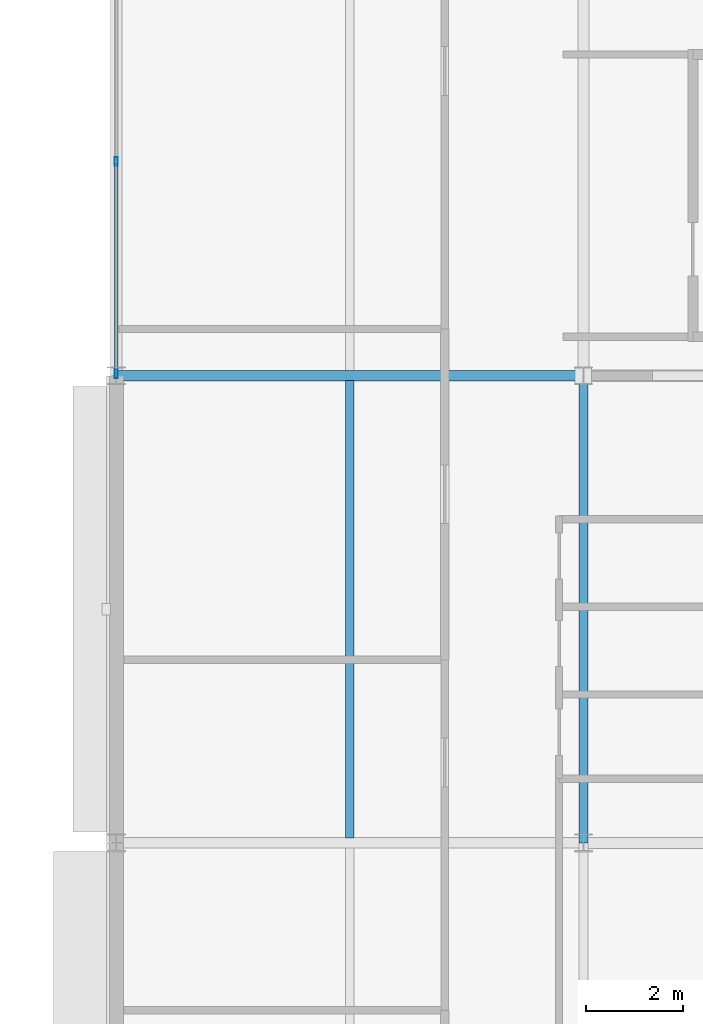
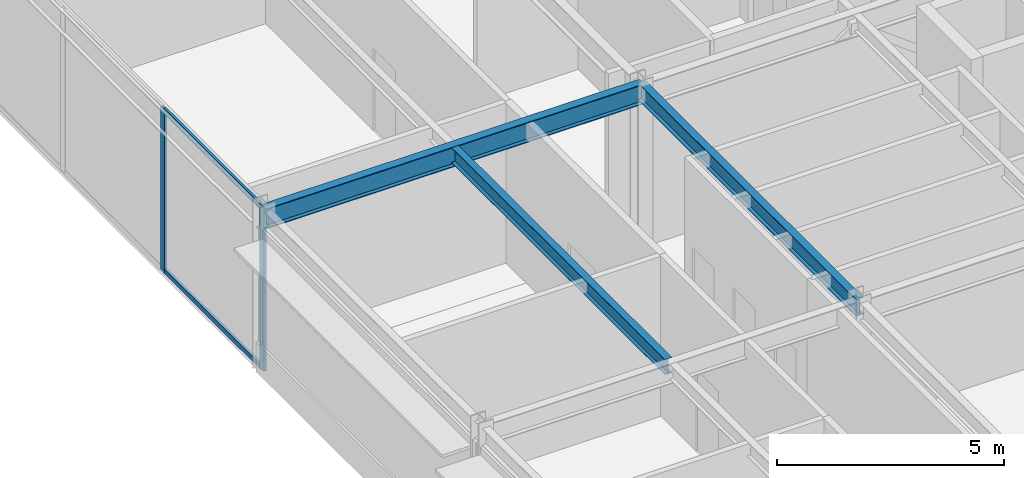
# One storey, part 21 of 50: 4 members, 3 beams, 1 element without a shape of its own.
"""IFC4 building model written with IfcOpenShell, lengths in metres."""

from ifc_helpers import new_model, si_unit, direction, frame, origin, origin_2d, place, context, subcontext, project, spatial, hollow_rectangle, i_section, extrude, material, material_profile, profile_set, type_object, element, aggregate, save


model = new_model("IFC4")

# Units and contexts
model_context = context("Model", 3, precision=1e-05, world=origin(), true_north=direction((0.0, 1.0)))
body_context = subcontext(model_context, "Body", "Model", "MODEL_VIEW")
ifc_project = project(units=[si_unit("LENGTHUNIT", "METRE"), si_unit("AREAUNIT", "SQUARE_METRE"), si_unit("VOLUMEUNIT", "CUBIC_METRE"), si_unit("PLANEANGLEUNIT", "RADIAN"), si_unit("MASSUNIT", "GRAM", prefix="KILO")], contexts=[model_context])

# Site, building, storey
site_placement = place(None, origin())
site = spatial("IfcSite", under=ifc_project, at=site_placement, CompositionType="ELEMENT")
building_placement = place(site_placement, origin())
building = spatial("IfcBuilding", under=site, at=building_placement, Name="Almandine Court Research Institute", CompositionType="ELEMENT")
storey_placement = place(building_placement, frame((0.0, 0.0, 23.449951171875)))
storey = spatial("IfcBuildingStorey", under=building, at=storey_placement, Name="L05", CompositionType="ELEMENT", Elevation=23.449951171875)

# Beams
ifc_material_1 = material(Name="Steel ASTM A992 Grade 50", Category="steel")
ifc_material_profile_1 = material_profile(ifc_material_1, i_section(OverallWidth=0.18994140625, OverallDepth=0.45703125, WebThickness=0.009033203125, FlangeThickness=0.014892578125, at=origin_2d()), Name="W460x74")
ifc_profile_set_1 = profile_set([ifc_material_profile_1], Name="Steel ASTM A992 Grade 50")
beam_type_1 = type_object("IfcBeamType", Name="Beam-B-01", PredefinedType="BEAM", material=ifc_profile_set_1)
beam_1_placement = place(storey_placement, frame((163.199951171875, 34.800048828125, 4.156982421875), z_axis=(0.0, 1.0, 0.0), x_axis=(-1.0, 0.0, 0.0)))
element("IfcBeam", 1, at=beam_1_placement, inside=storey, type_object=beam_type_1, Name="L05 V4 Primary Y Girder", PredefinedType="BEAM", context=body_context, shape_type="SweptSolid", body=[
    extrude(i_section(OverallWidth=0.18994140625, OverallDepth=0.45703125, WebThickness=0.009033203125, FlangeThickness=0.014892578125, at=origin_2d()), origin(), (0.0, 0.0, 1.0), 9.599853515625),
])
ifc_material_profile_2 = material_profile(ifc_material_1, i_section(OverallWidth=0.178955078125, OverallDepth=0.409912109375, WebThickness=0.009033203125, FlangeThickness=0.013916015625, at=origin_2d()), Name="W410x67")
ifc_profile_set_2 = profile_set([ifc_material_profile_2], Name="Steel ASTM A992 Grade 50")
beam_type_2 = type_object("IfcBeamType", Name="Beam-B-02", PredefinedType="JOIST", material=ifc_profile_set_2)
beam_2_placement = place(storey_placement, frame((158.39990234375, 34.903076171875, 4.179931640625), z_axis=(0.0, 1.0, 0.0), x_axis=(-1.0, 0.0, 0.0)))
element("IfcBeam", 2, at=beam_2_placement, inside=storey, type_object=beam_type_2, Name="L05 V4 Composite Secondary Beam", PredefinedType="JOIST", context=body_context, shape_type="SweptSolid", body=[
    extrude(i_section(OverallWidth=0.178955078125, OverallDepth=0.409912109375, WebThickness=0.009033203125, FlangeThickness=0.013916015625, at=origin_2d()), origin(), (0.0, 0.0, 1.0), 9.39404296875),
])
ifc_material_profile_3 = material_profile(ifc_material_1, i_section(OverallWidth=0.2109375, OverallDepth=0.5390625, WebThickness=0.011962890625, FlangeThickness=0.01904296875, at=origin_2d()), Name="W530x109")
ifc_profile_set_3 = profile_set([ifc_material_profile_3], Name="Steel ASTM A992 Grade 50")
beam_type_3 = type_object("IfcBeamType", Name="Beam-G-04", PredefinedType="BEAM", material=ifc_profile_set_3)
beam_3_placement = place(storey_placement, frame((153.60009765625, 44.39990234375, 4.115966796875), z_axis=(1.0, 0.0, 0.0), x_axis=(0.0, 1.0, 0.0)))
element("IfcBeam", 3, at=beam_3_placement, inside=storey, type_object=beam_type_3, Name="L05 V4 Primary X Girder", PredefinedType="BEAM", context=body_context, shape_type="SweptSolid", body=[
    extrude(i_section(OverallWidth=0.2109375, OverallDepth=0.5390625, WebThickness=0.011962890625, FlangeThickness=0.01904296875, at=origin_2d()), origin(), (0.0, 0.0, 1.0), 9.599853515625),
])

# Curtain wall, members
ifc_material_2 = material(Name="Unitised Curtain Wall Framing and Solar Glazing", Category="glass")
curtain_wall_type = type_object("IfcCurtainWallType", Name="CW-CWJ-16", PredefinedType="USERDEFINED", material=ifc_material_2)
curtain_wall_placement = place(storey_placement, origin())
curtain_wall = element("IfcCurtainWall", 4, at=curtain_wall_placement, inside=storey, type_object=curtain_wall_type, Name="L05 Wet Lab West Courtyard Jali Curtain Wall 5", ObjectType="SOLAR JALI SCREEN", PredefinedType="USERDEFINED")
ifc_material_3 = material(Name="Anodised Aluminium AW-6063-T6", Category="aluminium")
ifc_material_profile_4 = material_profile(ifc_material_3, hollow_rectangle(XDim=0.06494140625, YDim=0.179931640625, WallThickness=0.00390625, at=origin_2d()), Name="ALU RHS 65x180x4")
ifc_profile_set_4 = profile_set([ifc_material_profile_4], Name="Anodised Aluminium AW-6063-T6")
member_type_1 = type_object("IfcMemberType", Name="CWMul-65x180", PredefinedType="MULLION", material=ifc_profile_set_4)
member_1_placement = place(storey_placement, frame((153.60009765625, 44.4365234375, 0.0), z_axis=(0.0, 0.0, 1.0), x_axis=(-1.0, 0.0, 0.0)))
member_1 = element("IfcMember", 5, at=member_1_placement, type_object=member_type_1, Name="CWJ-16 mullion 1", PredefinedType="MULLION", context=body_context, shape_type="SweptSolid", body=[
    extrude(hollow_rectangle(XDim=0.06494140625, YDim=0.179931640625, WallThickness=0.00390625, at=origin_2d()), origin(), (0.0, 0.0, 1.0), 4.3701171875),
])
member_2_placement = place(storey_placement, frame((153.60009765625, 48.80126953125, 0.0), z_axis=(0.0, 0.0, 1.0), x_axis=(-1.0, 0.0, 0.0)))
member_2 = element("IfcMember", 6, at=member_2_placement, type_object=member_type_1, Name="CWJ-16 mullion 2", PredefinedType="MULLION", context=body_context, shape_type="SweptSolid", body=[
    extrude(hollow_rectangle(XDim=0.06494140625, YDim=0.179931640625, WallThickness=0.00390625, at=origin_2d()), origin(), (0.0, 0.0, 1.0), 4.3701171875),
])
ifc_material_profile_5 = material_profile(ifc_material_3, hollow_rectangle(XDim=0.06494140625, YDim=0.1298828125, WallThickness=0.00390625, at=origin_2d()), Name="ALU RHS 65x130x4")
ifc_profile_set_5 = profile_set([ifc_material_profile_5], Name="Anodised Aluminium AW-6063-T6")
member_type_2 = type_object("IfcMemberType", Name="CWTrn-65x130", PredefinedType="NOTDEFINED", material=ifc_profile_set_5)
member_3_placement = place(storey_placement, frame((153.60009765625, 44.468994140625, 0.032470703125), z_axis=(0.0, 1.0, 0.0), x_axis=(-1.0, 0.0, 0.0)))
member_3 = element("IfcMember", 7, at=member_3_placement, type_object=member_type_2, Name="CWJ-16 transom 1.1", ObjectType="TRANSOM", PredefinedType="USERDEFINED", context=body_context, shape_type="SweptSolid", body=[
    extrude(hollow_rectangle(XDim=0.06494140625, YDim=0.1298828125, WallThickness=0.00390625, at=origin_2d()), origin(), (0.0, 0.0, 1.0), 4.2998046875),
])
member_4_placement = place(storey_placement, frame((153.60009765625, 44.468994140625, 4.337646484375), z_axis=(0.0, 1.0, 0.0), x_axis=(-1.0, 0.0, 0.0)))
member_4 = element("IfcMember", 8, at=member_4_placement, type_object=member_type_2, Name="CWJ-16 transom 1.2", ObjectType="TRANSOM", PredefinedType="USERDEFINED", context=body_context, shape_type="SweptSolid", body=[
    extrude(hollow_rectangle(XDim=0.06494140625, YDim=0.1298828125, WallThickness=0.00390625, at=origin_2d()), origin(), (0.0, 0.0, 1.0), 4.2998046875),
])
aggregate(curtain_wall, [member_1, member_2, member_3, member_4])

save(model, "model.ifc")
